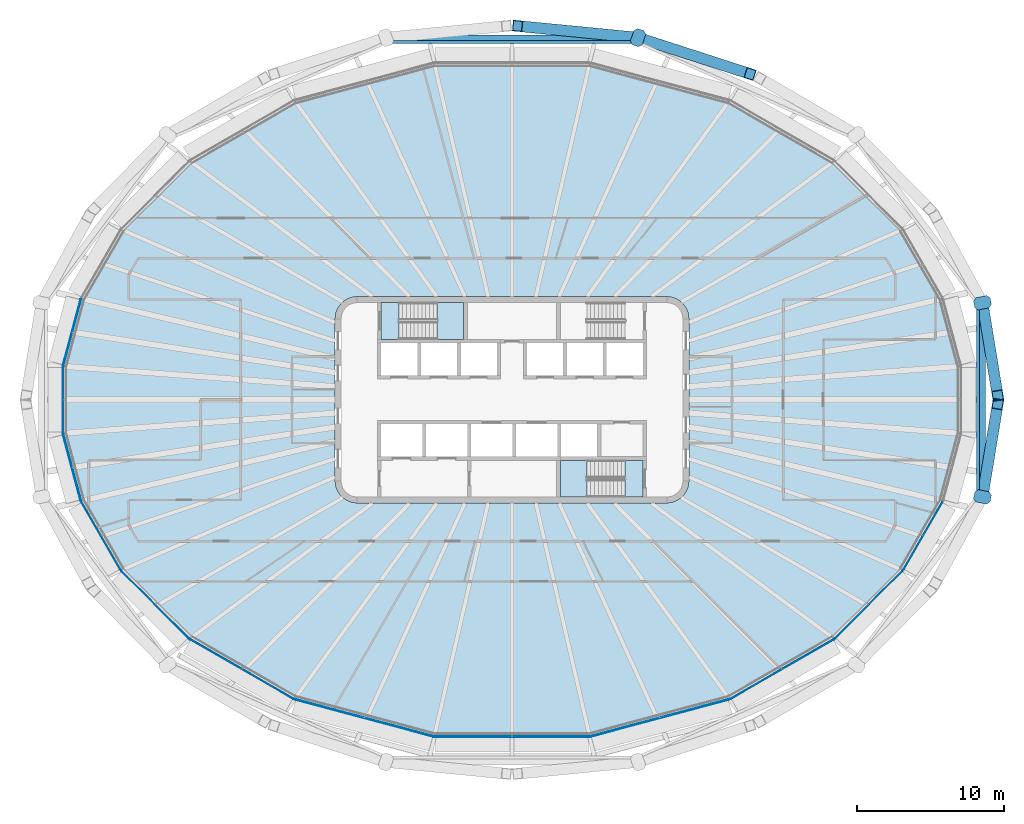
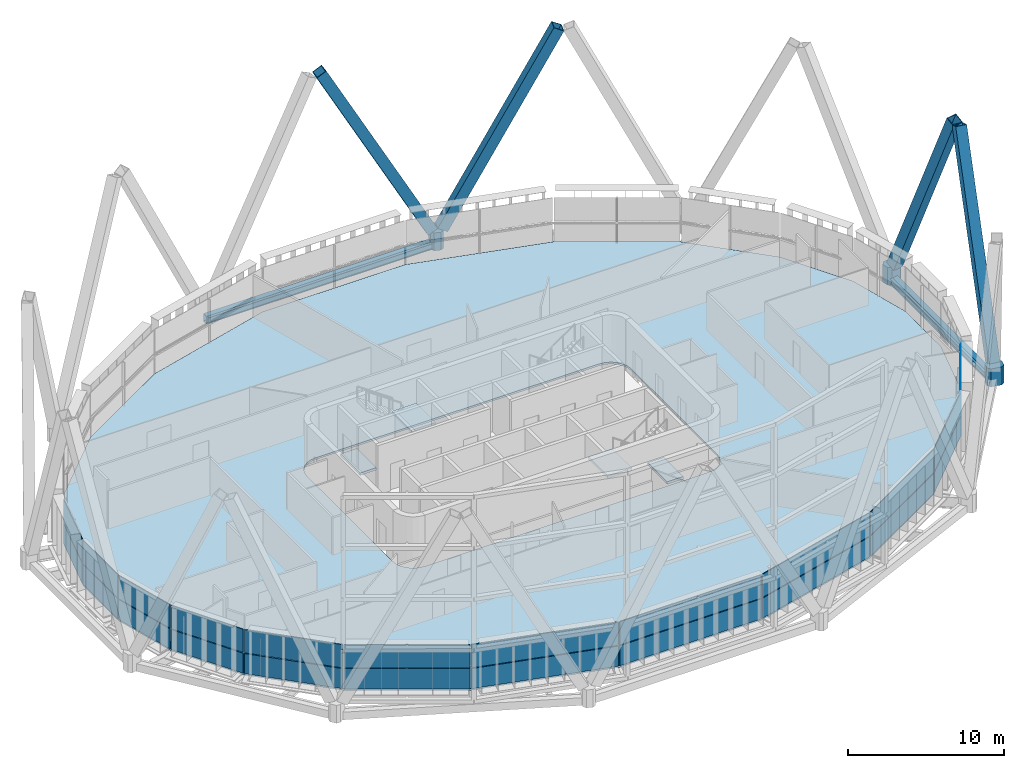
# One storey, part 11 of 22: 24 plates, 7 members, 5 slabs, 4 beams, 14 elements without a shape of their own.
"""IFC4 building model written with IfcOpenShell, lengths in metres."""

from ifc_helpers import new_model, si_unit, direction, frame, origin, origin_2d, place, context, subcontext, project, spatial, polyline, hollow_rectangle, i_section, outline, extrude, material, layer, layer_set, material_profile, profile_set, type_object, element, aggregate, save


model = new_model("IFC4")

# Units and contexts
model_context = context("Model", 3, precision=1e-05, world=origin(), true_north=direction((0.0, 1.0)))
body_context = subcontext(model_context, "Body", "Model", "MODEL_VIEW")
ifc_project = project(units=[si_unit("LENGTHUNIT", "METRE"), si_unit("AREAUNIT", "SQUARE_METRE"), si_unit("VOLUMEUNIT", "CUBIC_METRE"), si_unit("PLANEANGLEUNIT", "RADIAN"), si_unit("MASSUNIT", "GRAM", prefix="KILO")], contexts=[model_context])

# Site, building, storey
site_placement = place(None, origin())
site = spatial("IfcSite", under=ifc_project, at=site_placement, CompositionType="ELEMENT")
building_placement = place(site_placement, origin())
building = spatial("IfcBuilding", under=site, at=building_placement, Name="Sahrelin Media Tower", CompositionType="ELEMENT")
storey_placement = place(building_placement, frame((0.0, 0.0, 233.60009765625)))
storey = spatial("IfcBuildingStorey", under=building, at=storey_placement, Name="L50", CompositionType="ELEMENT", Elevation=233.60009765625)

# Members
ifc_material_1 = material(Name="Steel S460", Category="steel")
ifc_material_profile_1 = material_profile(ifc_material_1, hollow_rectangle(XDim=0.75, YDim=0.75, WallThickness=0.0400390625, at=origin_2d()), Name="Diagrid diagonal DG6")
ifc_profile_set_1 = profile_set([ifc_material_profile_1], Name="Steel S460")
member_type_1 = type_object("IfcMemberType", Name="Diagrid diagonal DG6", PredefinedType="BRACE", material=ifc_profile_set_1)
member_1_placement = place(storey_placement, frame((31.965576171875, 6.294921875, 0.699951171875), z_axis=(0.062400726906, -0.379744616568, 0.922984385279), x_axis=(0.986766401733, 0.162148291424, 0.0)))
element("IfcMember", 1, at=member_1_placement, inside=storey, type_object=member_type_1, Name="Diagrid diagonal D11-00", PredefinedType="BRACE", context=body_context, shape_type="SweptSolid", body=[
    extrude(hollow_rectangle(XDim=0.75, YDim=0.75, WallThickness=0.0400390625, at=origin_2d()), origin(), (0.0, 0.0, 1.0), 15.818115234375),
])
member_2_placement = place(storey_placement, frame((8.900146484375, 24.454833984375, 0.699951171875), z_axis=(0.440336452055, -0.142395958877, 0.886468950323), x_axis=(0.307691505717, 0.951486172947, 0.0)))
element("IfcMember", 2, at=member_2_placement, inside=storey, type_object=member_type_1, Name="Diagrid diagonal D11-04", PredefinedType="BRACE", context=body_context, shape_type="SweptSolid", body=[
    extrude(hollow_rectangle(XDim=0.75, YDim=0.75, WallThickness=0.0400390625, at=origin_2d()), origin(), (0.0, 0.0, 1.0), 16.4697265625),
])
member_3_placement = place(storey_placement, frame((8.17822265625, 24.603759765625, 0.699951171875), z_axis=(-0.4709090869, 0.045846052821, 0.880989654488), x_axis=(-0.096898351579, -0.995294282844, 0.0)))
element("IfcMember", 3, at=member_3_placement, inside=storey, type_object=member_type_1, Name="Diagrid diagonal D11-05", PredefinedType="BRACE", context=body_context, shape_type="SweptSolid", body=[
    extrude(hollow_rectangle(XDim=0.75, YDim=0.75, WallThickness=0.0400390625, at=origin_2d()), origin(), (0.0, 0.0, 1.0), 16.572021484375),
])
member_4_placement = place(storey_placement, frame((31.965576171875, -6.294921875, 0.699951171875), z_axis=(0.062400726906, 0.379744616568, 0.922984385279), x_axis=(-0.986766401733, 0.162148291424, 0.0)))
element("IfcMember", 4, at=member_4_placement, inside=storey, type_object=member_type_1, Name="Diagrid diagonal D11-23", PredefinedType="BRACE", context=body_context, shape_type="SweptSolid", body=[
    extrude(hollow_rectangle(XDim=0.75, YDim=0.75, WallThickness=0.0400390625, at=origin_2d()), origin(), (0.0, 0.0, 1.0), 15.818115234375),
])
ifc_material_profile_2 = material_profile(ifc_material_1, outline(polyline([(0.375, -0.425048828125), (0.574951171875, -0.22509765625), (0.574951171875, 0.22509765625), (0.375, 0.425048828125), (-0.375, 0.425048828125), (-0.574951171875, 0.22509765625), (-0.574951171875, -0.22509765625), (-0.375, -0.425048828125), (0.375, -0.425048828125)])), Name="Diagrid node block 1150")
ifc_profile_set_2 = profile_set([ifc_material_profile_2], Name="Steel S460")
member_type_2 = type_object("IfcMemberType", Name="Diagrid node block 1150", PredefinedType="USERDEFINED", material=ifc_profile_set_2)
for number, where, z_axis, x_axis, name in (
    (5, (31.918212890625, 6.582763671875, -0.7001953125), (0.0, 0.0, 1.0), (0.979387770926, 0.201989094163, 0.0), "Diagrid node N11-00"),
    (6, (8.552490234375, 24.5673828125, -0.7001953125), (0.0, 0.0, 1.0), (0.328769398381, 0.944410230085, 0.0), "Diagrid node N11-02"),
    (7, (31.918212890625, -6.582763671875, -0.7001953125), (0.0, 0.0, 1.0), (0.979387770926, -0.201989094163, 0.0), "Diagrid node N11-11"),
):
    element("IfcMember", number, at=place(storey_placement, frame(where, z_axis=z_axis, x_axis=x_axis)), inside=storey, type_object=member_type_2, Name=name, ObjectType="NODE", PredefinedType="USERDEFINED", context=body_context, shape_type="SweptSolid", body=[
        extrude(outline(polyline([(0.375, -0.425048828125), (0.574951171875, -0.22509765625), (0.574951171875, 0.22509765625), (0.375, 0.425048828125), (-0.375, 0.425048828125), (-0.574951171875, 0.22509765625), (-0.574951171875, -0.22509765625), (-0.375, -0.425048828125), (0.375, -0.425048828125)])), origin(), (0.0, 0.0, 1.0), 1.400146484375),
    ])

# Beams
ifc_material_profile_3 = material_profile(ifc_material_1, hollow_rectangle(XDim=0.39990234375, YDim=0.60009765625, WallThickness=0.030029296875, at=origin_2d()), Name="Diagrid ring beam RB1")
ifc_profile_set_3 = profile_set([ifc_material_profile_3], Name="Steel S460")
beam_type_1 = type_object("IfcBeamType", Name="Diagrid ring beam RB1", PredefinedType="BEAM", material=ifc_profile_set_3)
beam_1_placement = place(storey_placement, frame((8.552490234375, 24.5673828125, -0.4501953125), z_axis=(-1.0, 0.0, 0.0), x_axis=(0.0, -1.0, 0.0)))
element("IfcBeam", 8, at=beam_1_placement, inside=storey, type_object=beam_type_1, Name="Diagrid ring beam RB11-02", PredefinedType="BEAM", context=body_context, shape_type="SweptSolid", body=[
    extrude(hollow_rectangle(XDim=0.39990234375, YDim=0.60009765625, WallThickness=0.030029296875, at=origin_2d()), origin(), (0.0, 0.0, 1.0), 17.10498046875),
])
beam_2_placement = place(storey_placement, frame((31.918212890625, -6.582763671875, -0.4501953125), z_axis=(0.0, 1.0, 0.0), x_axis=(-1.0, 0.0, 0.0)))
element("IfcBeam", 9, at=beam_2_placement, inside=storey, type_object=beam_type_1, Name="Diagrid ring beam RB11-11", PredefinedType="BEAM", context=body_context, shape_type="SweptSolid", body=[
    extrude(hollow_rectangle(XDim=0.39990234375, YDim=0.60009765625, WallThickness=0.030029296875, at=origin_2d()), origin(), (0.0, 0.0, 1.0), 13.16552734375),
])
ifc_material_2 = material(Name="Steel S355", Category="steel")
ifc_material_profile_4 = material_profile(ifc_material_2, i_section(OverallWidth=0.1904296875, OverallDepth=0.45703125, WebThickness=0.009033203125, FlangeThickness=0.014404296875, FilletRadius=0.01025390625, at=origin_2d()), Name="UB 457x191x74")
ifc_profile_set_4 = profile_set([ifc_material_profile_4], Name="Steel S355")
beam_type_2 = type_object("IfcBeamType", Name="Tie chord TC5", PredefinedType="BEAM", material=ifc_profile_set_4)
beam_3_placement = place(storey_placement, frame((31.617919921875, 6.482666015625, -0.378662109375), z_axis=(0.0, -1.0, 0.0), x_axis=(1.0, 0.0, 0.0)))
element("IfcBeam", 10, at=beam_3_placement, inside=storey, type_object=beam_type_2, Name="Tie chord L50-01", PredefinedType="BEAM", context=body_context, shape_type="SweptSolid", body=[
    extrude(i_section(OverallWidth=0.1904296875, OverallDepth=0.45703125, WebThickness=0.009033203125, FlangeThickness=0.014404296875, FilletRadius=0.01025390625, at=origin_2d()), origin(), (0.0, 0.0, 1.0), 12.96533203125),
])
beam_4_placement = place(storey_placement, frame((-8.48876953125, 24.26708984375, -0.378662109375), z_axis=(1.0, 0.0, 0.0), x_axis=(0.0, 1.0, 0.0)))
element("IfcBeam", 11, at=beam_4_placement, inside=storey, type_object=beam_type_2, Name="Tie chord L50-10", PredefinedType="BEAM", context=body_context, shape_type="SweptSolid", body=[
    extrude(i_section(OverallWidth=0.1904296875, OverallDepth=0.45703125, WebThickness=0.009033203125, FlangeThickness=0.014404296875, FilletRadius=0.01025390625, at=origin_2d()), origin(), (0.0, 0.0, 1.0), 16.9775390625),
])

# Slab
ifc_material_3 = material(Name="Concrete C40/50", Category="concrete")
ifc_layer_1 = layer(ifc_material_3, 0.14990234375)
ifc_layer_set_1 = layer_set([ifc_layer_1], Name="Composite floor slab 150")
slab_type_1 = type_object("IfcSlabType", Name="Composite floor slab 150", PredefinedType="FLOOR", material=ifc_layer_set_1)
slab_1_placement = place(storey_placement, frame((0.0, 0.0, -0.150146484375)))
element("IfcSlab", 12, at=slab_1_placement, inside=storey, type_object=slab_type_1, Name="Floor slab L50", PredefinedType="FLOOR", context=body_context, shape_type="SweptSolid", body=[
    extrude(outline(polyline([(30.454833984375, -2.273681640625), (30.454833984375, 2.273681640625), (29.223876953125, 6.8681640625), (26.517578125, 11.5556640625), (21.86669921875, 16.20654296875), (14.76611328125, 20.30615234375), (5.27490234375, 22.84912109375), (-5.27490234375, 22.84912109375), (-14.76611328125, 20.30615234375), (-21.86669921875, 16.20654296875), (-26.517578125, 11.5556640625), (-29.223876953125, 6.8681640625), (-30.454833984375, 2.273681640625), (-30.454833984375, -2.273681640625), (-29.223876953125, -6.8681640625), (-26.517578125, -11.5556640625), (-21.86669921875, -16.20654296875), (-14.76611328125, -20.30615234375), (-5.27490234375, -22.84912109375), (5.27490234375, -22.84912109375), (14.76611328125, -20.30615234375), (21.86669921875, -16.20654296875), (26.517578125, -11.5556640625), (29.223876953125, -6.8681640625), (30.454833984375, -2.273681640625)]), holes=[polyline([(11.948974609375, 5.88818359375), (12.0, 5.5), (12.0, -5.5), (11.948974609375, -5.88818359375), (11.799072265625, -6.25), (11.560791015625, -6.560791015625), (11.25, -6.799072265625), (10.88818359375, -6.948974609375), (10.5, -7.0), (-10.5, -7.0), (-10.88818359375, -6.948974609375), (-11.25, -6.799072265625), (-11.560791015625, -6.560791015625), (-11.799072265625, -6.25), (-11.948974609375, -5.88818359375), (-12.0, -5.5), (-12.0, 5.5), (-11.948974609375, 5.88818359375), (-11.799072265625, 6.25), (-11.560791015625, 6.560791015625), (-11.25, 6.799072265625), (-10.88818359375, 6.948974609375), (-10.5, 7.0), (10.5, 7.0), (10.88818359375, 6.948974609375), (11.25, 6.799072265625), (11.560791015625, 6.560791015625), (11.799072265625, 6.25), (11.948974609375, 5.88818359375)])]), origin(), (0.0, 0.0, 1.0), 0.150146484375),
])

# Curtain wall, plate
ifc_material_4 = material(Name="Champagne anodised aluminium 6063-T6", Category="aluminium")
ifc_layer_2 = layer(ifc_material_4, 0.14990234375)
ifc_layer_set_2 = layer_set([ifc_layer_2], Name="Tower ribbon curtain wall")
curtain_wall_type = type_object("IfcCurtainWallType", Name="Tower ribbon curtain wall", PredefinedType="NOTDEFINED", material=ifc_layer_set_2)
curtain_wall_1_placement = place(storey_placement, frame((-29.858642578125, 4.576171875, 0.0), z_axis=(0.0, 0.0, 1.0), x_axis=(1.0, 0.0, 0.0)))
curtain_wall_1 = element("IfcCurtainWall", 13, at=curtain_wall_1_placement, inside=storey, type_object=curtain_wall_type, Name="L50:CW:L50-11", PredefinedType="NOTDEFINED")
ifc_material_5 = material(Name="Clear low-iron glazing", Category="glass")
ifc_layer_3 = layer(ifc_material_5, 0.0439453125)
ifc_layer_set_3 = layer_set([ifc_layer_3], Name="Glazing panel 44 mm CW1B")
plate_type_1 = type_object("IfcPlateType", Name="Glazing panel 44 mm CW1B", PredefinedType="CURTAIN_PANEL", material=ifc_layer_set_3)
plate_1_placement = place(storey_placement, frame((-29.27490234375, 6.832763671875, 1.6298828125), z_axis=(-0.965939636651, 0.258767498628, 0.0), x_axis=(-0.258767498628, -0.965939636651, 0.0)))
plate_1 = element("IfcPlate", 14, at=plate_1_placement, type_object=plate_type_1, Name="L50:CWP2:L50-11", PredefinedType="CURTAIN_PANEL", context=body_context, shape_type="SweptSolid", body=[
    extrude(outline(polyline([(0.0, 0.0), (4.66162109375, 0.0), (4.66162109375, 1.818603515625), (0.0, 1.818603515625), (0.0, 0.0)])), origin(), (0.0, 0.0, -1.0), 0.0439453125),
])

curtain_wall_2_placement = place(storey_placement, frame((-30.474853515625, 0.0, 0.0), z_axis=(0.0, 0.0, 1.0), x_axis=(1.0, 0.0, 0.0)))
curtain_wall_2 = element("IfcCurtainWall", 15, at=curtain_wall_2_placement, inside=storey, type_object=curtain_wall_type, Name="L50:CW:L50-12", PredefinedType="NOTDEFINED")
plate_2_placement = place(storey_placement, frame((-30.494873046875, 2.226318359375, 1.6298828125), z_axis=(-1.0, 0.0, 0.0), x_axis=(0.0, -1.0, 0.0)))
plate_2 = element("IfcPlate", 16, at=plate_2_placement, type_object=plate_type_1, Name="L50:CWP2:L50-12", PredefinedType="CURTAIN_PANEL", context=body_context, shape_type="SweptSolid", body=[
    extrude(outline(polyline([(0.0, 0.0), (4.45263671875, 0.0), (4.45263671875, 1.818603515625), (0.0, 1.818603515625), (0.0, 0.0)])), origin(), (0.0, 0.0, -1.0), 0.0439453125),
])

curtain_wall_3_placement = place(storey_placement, frame((-29.858642578125, -4.576171875, 0.0), z_axis=(0.0, 0.0, 1.0), x_axis=(1.0, 0.0, 0.0)))
curtain_wall_3 = element("IfcCurtainWall", 17, at=curtain_wall_3_placement, inside=storey, type_object=curtain_wall_type, Name="L50:CW:L50-13", PredefinedType="NOTDEFINED")
plate_3_placement = place(storey_placement, frame((-30.481201171875, -2.329833984375, 1.6298828125), z_axis=(-0.965939636651, -0.258767498628, 0.0), x_axis=(0.258767498628, -0.965939636651, 0.0)))
plate_3 = element("IfcPlate", 18, at=plate_3_placement, type_object=plate_type_1, Name="L50:CWP2:L50-13", PredefinedType="CURTAIN_PANEL", context=body_context, shape_type="SweptSolid", body=[
    extrude(outline(polyline([(0.0, 0.0), (4.66162109375, 0.0), (4.66162109375, 1.818603515625), (0.0, 1.818603515625), (0.0, 0.0)])), origin(), (0.0, 0.0, -1.0), 0.0439453125),
])

curtain_wall_4_placement = place(storey_placement, frame((-27.887939453125, -9.2216796875, 0.0), z_axis=(0.0, 0.0, 1.0), x_axis=(1.0, 0.0, 0.0)))
curtain_wall_4 = element("IfcCurtainWall", 19, at=curtain_wall_4_placement, inside=storey, type_object=curtain_wall_type, Name="L50:CW:L50-14", PredefinedType="NOTDEFINED")
plate_4_placement = place(storey_placement, frame((-29.23486328125, -6.92919921875, 1.6298828125), z_axis=(-0.866008217664, -0.500029766052, 0.0), x_axis=(0.500029766052, -0.866008217664, 0.0)))
plate_4 = element("IfcPlate", 20, at=plate_4_placement, type_object=plate_type_1, Name="L50:CWP2:L50-14", PredefinedType="CURTAIN_PANEL", context=body_context, shape_type="SweptSolid", body=[
    extrude(outline(polyline([(0.0, 0.0), (5.318115234375, 0.0), (5.318115234375, 1.818603515625), (0.0, 1.818603515625), (0.0, 0.0)])), origin(), (0.0, 0.0, -1.0), 0.0439453125),
])

curtain_wall_5_placement = place(storey_placement, frame((-24.206298828125, -13.895263671875, 0.0), z_axis=(0.0, 0.0, 1.0), x_axis=(1.0, 0.0, 0.0)))
curtain_wall_5 = element("IfcCurtainWall", 21, at=curtain_wall_5_placement, inside=storey, type_object=curtain_wall_type, Name="L50:CW:L50-15", PredefinedType="NOTDEFINED")
plate_5_placement = place(storey_placement, frame((-26.51220703125, -11.617431640625, 1.6298828125), z_axis=(-0.707125611507, -0.707087950365, 0.0), x_axis=(0.707087950365, -0.707125611507, 0.0)))
plate_5 = element("IfcPlate", 22, at=plate_5_placement, type_object=plate_type_1, Name="L50:CWP2:L50-15", PredefinedType="CURTAIN_PANEL", context=body_context, shape_type="SweptSolid", body=[
    extrude(outline(polyline([(0.0, 0.0), (6.482666015625, 0.0), (6.482666015625, 1.818603515625), (0.0, 1.818603515625), (0.0, 0.0)])), origin(), (0.0, 0.0, -1.0), 0.0439453125),
])

curtain_wall_6_placement = place(storey_placement, frame((-18.326416015625, -18.273681640625, 0.0), z_axis=(0.0, 0.0, 1.0), x_axis=(1.0, 0.0, 0.0)))
curtain_wall_6 = element("IfcCurtainWall", 23, at=curtain_wall_6_placement, inside=storey, type_object=curtain_wall_type, Name="L50:CW:L50-16", PredefinedType="NOTDEFINED")
plate_6_placement = place(storey_placement, frame((-21.845703125, -16.264892578125, 1.6298828125), z_axis=(-0.4999849629, -0.866034085284, 0.0), x_axis=(0.866034085284, -0.4999849629, 0.0)))
plate_6 = element("IfcPlate", 24, at=plate_6_placement, type_object=plate_type_1, Name="L50:CWP2:L50-16", PredefinedType="CURTAIN_PANEL", context=body_context, shape_type="SweptSolid", body=[
    extrude(outline(polyline([(0.0, 0.0), (8.104248046875, 0.0), (8.104248046875, 1.818603515625), (0.0, 1.818603515625), (0.0, 0.0)])), origin(), (0.0, 0.0, -1.0), 0.0439453125),
])

curtain_wall_7_placement = place(storey_placement, frame((-10.025634765625, -21.596923828125, 0.0), z_axis=(0.0, 0.0, 1.0), x_axis=(1.0, 0.0, 0.0)))
curtain_wall_7 = element("IfcCurtainWall", 25, at=curtain_wall_7_placement, inside=storey, type_object=curtain_wall_type, Name="L50:CW:L50-17", PredefinedType="NOTDEFINED")
plate_7_placement = place(storey_placement, frame((-14.730712890625, -20.35693359375, 1.6298828125), z_axis=(-0.258811745197, -0.965927782263, 0.0), x_axis=(0.965927782263, -0.258811745197, 0.0)))
plate_7 = element("IfcPlate", 26, at=plate_7_placement, type_object=plate_type_1, Name="L50:CWP2:L50-17", PredefinedType="CURTAIN_PANEL", context=body_context, shape_type="SweptSolid", body=[
    extrude(outline(polyline([(0.0, 0.0), (9.731201171875, 0.0), (9.731201171875, 1.818603515625), (0.0, 1.818603515625), (0.0, 0.0)])), origin(), (0.0, 0.0, -1.0), 0.0439453125),
])

curtain_wall_8_placement = place(storey_placement, frame((0.0, -22.869140625, 0.0), z_axis=(0.0, 0.0, 1.0), x_axis=(1.0, 0.0, 0.0)))
curtain_wall_8 = element("IfcCurtainWall", 27, at=curtain_wall_8_placement, inside=storey, type_object=curtain_wall_type, Name="L50:CW:L50-18", PredefinedType="NOTDEFINED")
plate_8_placement = place(storey_placement, frame((-5.2275390625, -22.88916015625, 1.6298828125), z_axis=(0.0, -1.0, 0.0), x_axis=(1.0, 0.0, 0.0)))
plate_8 = element("IfcPlate", 28, at=plate_8_placement, type_object=plate_type_1, Name="L50:CWP2:L50-18", PredefinedType="CURTAIN_PANEL", context=body_context, shape_type="SweptSolid", body=[
    extrude(outline(polyline([(0.0, 0.0), (10.455078125, 0.0), (10.455078125, 1.818603515625), (0.0, 1.818603515625), (0.0, 0.0)])), origin(), (0.0, 0.0, -1.0), 0.0439453125),
])

curtain_wall_9_placement = place(storey_placement, frame((10.025634765625, -21.596923828125, 0.0), z_axis=(0.0, 0.0, 1.0), x_axis=(1.0, 0.0, 0.0)))
curtain_wall_9 = element("IfcCurtainWall", 29, at=curtain_wall_9_placement, inside=storey, type_object=curtain_wall_type, Name="L50:CW:L50-19", PredefinedType="NOTDEFINED")
plate_9_placement = place(storey_placement, frame((5.3310546875, -22.87548828125, 1.6298828125), z_axis=(0.258811745197, -0.965927782263, 0.0), x_axis=(0.965927782263, 0.258811745197, 0.0)))
plate_9 = element("IfcPlate", 30, at=plate_9_placement, type_object=plate_type_1, Name="L50:CWP2:L50-19", PredefinedType="CURTAIN_PANEL", context=body_context, shape_type="SweptSolid", body=[
    extrude(outline(polyline([(0.0, 0.0), (9.731201171875, 0.0), (9.731201171875, 1.818603515625), (0.0, 1.818603515625), (0.0, 0.0)])), origin(), (0.0, 0.0, -1.0), 0.0439453125),
])

curtain_wall_10_placement = place(storey_placement, frame((18.326416015625, -18.273681640625, 0.0), z_axis=(0.0, 0.0, 1.0), x_axis=(1.0, 0.0, 0.0)))
curtain_wall_10 = element("IfcCurtainWall", 31, at=curtain_wall_10_placement, inside=storey, type_object=curtain_wall_type, Name="L50:CW:L50-20", PredefinedType="NOTDEFINED")
plate_10_placement = place(storey_placement, frame((14.8271484375, -20.31689453125, 1.6298828125), z_axis=(0.4999849629, -0.866034085284, 0.0), x_axis=(0.866034085284, 0.4999849629, 0.0)))
plate_10 = element("IfcPlate", 32, at=plate_10_placement, type_object=plate_type_1, Name="L50:CWP2:L50-20", PredefinedType="CURTAIN_PANEL", context=body_context, shape_type="SweptSolid", body=[
    extrude(outline(polyline([(0.0, 0.0), (8.104248046875, 0.0), (8.104248046875, 1.818603515625), (0.0, 1.818603515625), (0.0, 0.0)])), origin(), (0.0, 0.0, -1.0), 0.0439453125),
])

curtain_wall_11_placement = place(storey_placement, frame((24.206298828125, -13.895263671875, 0.0), z_axis=(0.0, 0.0, 1.0), x_axis=(1.0, 0.0, 0.0)))
curtain_wall_11 = element("IfcCurtainWall", 33, at=curtain_wall_11_placement, inside=storey, type_object=curtain_wall_type, Name="L50:CW:L50-21", PredefinedType="NOTDEFINED")
plate_11_placement = place(storey_placement, frame((21.928466796875, -16.201416015625, 1.6298828125), z_axis=(0.707125611507, -0.707087950365, 0.0), x_axis=(0.707087950365, 0.707125611507, 0.0)))
plate_11 = element("IfcPlate", 34, at=plate_11_placement, type_object=plate_type_1, Name="L50:CWP2:L50-21", PredefinedType="CURTAIN_PANEL", context=body_context, shape_type="SweptSolid", body=[
    extrude(outline(polyline([(0.0, 0.0), (6.482666015625, 0.0), (6.482666015625, 1.818603515625), (0.0, 1.818603515625), (0.0, 0.0)])), origin(), (0.0, 0.0, -1.0), 0.0439453125),
])

curtain_wall_12_placement = place(storey_placement, frame((27.887939453125, -9.221923828125, 0.0), z_axis=(0.0, 0.0, 1.0), x_axis=(1.0, 0.0, 0.0)))
curtain_wall_12 = element("IfcCurtainWall", 35, at=curtain_wall_12_placement, inside=storey, type_object=curtain_wall_type, Name="L50:CW:L50-22", PredefinedType="NOTDEFINED")
plate_12_placement = place(storey_placement, frame((26.57568359375, -11.53466796875, 1.6298828125), z_axis=(0.866008217664, -0.500029766052, 0.0), x_axis=(0.500029766052, 0.866008217664, 0.0)))
plate_12 = element("IfcPlate", 36, at=plate_12_placement, type_object=plate_type_1, Name="L50:CWP2:L50-22", PredefinedType="CURTAIN_PANEL", context=body_context, shape_type="SweptSolid", body=[
    extrude(outline(polyline([(0.0, 0.0), (5.318115234375, 0.0), (5.318115234375, 1.818603515625), (0.0, 1.818603515625), (0.0, 0.0)])), origin(), (0.0, 0.0, -1.0), 0.0439453125),
])

# Plate
ifc_material_6 = material(Name="Insulated spandrel panel")
ifc_layer_4 = layer(ifc_material_6, 0.06005859375)
ifc_layer_set_4 = layer_set([ifc_layer_4], Name="Spandrel panel 60 mm CW1")
plate_type_2 = type_object("IfcPlateType", Name="Spandrel panel 60 mm CW1", PredefinedType="SHEET", material=ifc_layer_set_4)
plate_13_placement = place(storey_placement, frame((-29.27490234375, 6.832763671875, 0.0), z_axis=(-0.965939636651, 0.258767498628, 0.0), x_axis=(-0.258767498628, -0.965939636651, 0.0)))
plate_13 = element("IfcPlate", 37, at=plate_13_placement, type_object=plate_type_2, Name="L50:CWP1:L50-11", PredefinedType="SHEET", context=body_context, shape_type="SweptSolid", body=[
    extrude(outline(polyline([(0.0, 0.0), (4.66162109375, 0.0), (4.66162109375, 1.56982421875), (0.0, 1.56982421875), (0.0, 0.0)])), origin(), (0.0, 0.0, -1.0), 0.06005859375),
])

aggregate(curtain_wall_1, [plate_13, plate_1])

plate_14_placement = place(storey_placement, frame((-30.494873046875, 2.226318359375, 0.0), z_axis=(-1.0, 0.0, 0.0), x_axis=(0.0, -1.0, 0.0)))
plate_14 = element("IfcPlate", 38, at=plate_14_placement, type_object=plate_type_2, Name="L50:CWP1:L50-12", PredefinedType="SHEET", context=body_context, shape_type="SweptSolid", body=[
    extrude(outline(polyline([(0.0, 0.0), (4.45263671875, 0.0), (4.45263671875, 1.56982421875), (0.0, 1.56982421875), (0.0, 0.0)])), origin(), (0.0, 0.0, -1.0), 0.06005859375),
])

aggregate(curtain_wall_2, [plate_14, plate_2])

plate_15_placement = place(storey_placement, frame((-30.481201171875, -2.329833984375, 0.0), z_axis=(-0.965939636651, -0.258767498628, 0.0), x_axis=(0.258767498628, -0.965939636651, 0.0)))
plate_15 = element("IfcPlate", 39, at=plate_15_placement, type_object=plate_type_2, Name="L50:CWP1:L50-13", PredefinedType="SHEET", context=body_context, shape_type="SweptSolid", body=[
    extrude(outline(polyline([(0.0, 0.0), (4.66162109375, 0.0), (4.66162109375, 1.56982421875), (0.0, 1.56982421875), (0.0, 0.0)])), origin(), (0.0, 0.0, -1.0), 0.06005859375),
])

aggregate(curtain_wall_3, [plate_15, plate_3])

plate_16_placement = place(storey_placement, frame((-29.23486328125, -6.92919921875, 0.0), z_axis=(-0.866008217664, -0.500029766052, 0.0), x_axis=(0.500029766052, -0.866008217664, 0.0)))
plate_16 = element("IfcPlate", 40, at=plate_16_placement, type_object=plate_type_2, Name="L50:CWP1:L50-14", PredefinedType="SHEET", context=body_context, shape_type="SweptSolid", body=[
    extrude(outline(polyline([(0.0, 0.0), (5.318115234375, 0.0), (5.318115234375, 1.56982421875), (0.0, 1.56982421875), (0.0, 0.0)])), origin(), (0.0, 0.0, -1.0), 0.06005859375),
])

aggregate(curtain_wall_4, [plate_16, plate_4])

plate_17_placement = place(storey_placement, frame((-26.51220703125, -11.617431640625, 0.0), z_axis=(-0.707125611507, -0.707087950365, 0.0), x_axis=(0.707087950365, -0.707125611507, 0.0)))
plate_17 = element("IfcPlate", 41, at=plate_17_placement, type_object=plate_type_2, Name="L50:CWP1:L50-15", PredefinedType="SHEET", context=body_context, shape_type="SweptSolid", body=[
    extrude(outline(polyline([(0.0, 0.0), (6.482666015625, 0.0), (6.482666015625, 1.56982421875), (0.0, 1.56982421875), (0.0, 0.0)])), origin(), (0.0, 0.0, -1.0), 0.06005859375),
])

aggregate(curtain_wall_5, [plate_17, plate_5])

plate_18_placement = place(storey_placement, frame((-21.845703125, -16.264892578125, 0.0), z_axis=(-0.4999849629, -0.866034085284, 0.0), x_axis=(0.866034085284, -0.4999849629, 0.0)))
plate_18 = element("IfcPlate", 42, at=plate_18_placement, type_object=plate_type_2, Name="L50:CWP1:L50-16", PredefinedType="SHEET", context=body_context, shape_type="SweptSolid", body=[
    extrude(outline(polyline([(0.0, 0.0), (8.104248046875, 0.0), (8.104248046875, 1.56982421875), (0.0, 1.56982421875), (0.0, 0.0)])), origin(), (0.0, 0.0, -1.0), 0.06005859375),
])

aggregate(curtain_wall_6, [plate_18, plate_6])

plate_19_placement = place(storey_placement, frame((-14.730712890625, -20.35693359375, 0.0), z_axis=(-0.258811745197, -0.965927782263, 0.0), x_axis=(0.965927782263, -0.258811745197, 0.0)))
plate_19 = element("IfcPlate", 43, at=plate_19_placement, type_object=plate_type_2, Name="L50:CWP1:L50-17", PredefinedType="SHEET", context=body_context, shape_type="SweptSolid", body=[
    extrude(outline(polyline([(0.0, 0.0), (9.731201171875, 0.0), (9.731201171875, 1.56982421875), (0.0, 1.56982421875), (0.0, 0.0)])), origin(), (0.0, 0.0, -1.0), 0.06005859375),
])

aggregate(curtain_wall_7, [plate_19, plate_7])

plate_20_placement = place(storey_placement, frame((-5.2275390625, -22.88916015625, 0.0), z_axis=(0.0, -1.0, 0.0), x_axis=(1.0, 0.0, 0.0)))
plate_20 = element("IfcPlate", 44, at=plate_20_placement, type_object=plate_type_2, Name="L50:CWP1:L50-18", PredefinedType="SHEET", context=body_context, shape_type="SweptSolid", body=[
    extrude(outline(polyline([(0.0, 0.0), (10.455078125, 0.0), (10.455078125, 1.56982421875), (0.0, 1.56982421875), (0.0, 0.0)])), origin(), (0.0, 0.0, -1.0), 0.06005859375),
])

aggregate(curtain_wall_8, [plate_20, plate_8])

plate_21_placement = place(storey_placement, frame((5.3310546875, -22.87548828125, 0.0), z_axis=(0.258811745197, -0.965927782263, 0.0), x_axis=(0.965927782263, 0.258811745197, 0.0)))
plate_21 = element("IfcPlate", 45, at=plate_21_placement, type_object=plate_type_2, Name="L50:CWP1:L50-19", PredefinedType="SHEET", context=body_context, shape_type="SweptSolid", body=[
    extrude(outline(polyline([(0.0, 0.0), (9.731201171875, 0.0), (9.731201171875, 1.56982421875), (0.0, 1.56982421875), (0.0, 0.0)])), origin(), (0.0, 0.0, -1.0), 0.06005859375),
])

aggregate(curtain_wall_9, [plate_21, plate_9])

plate_22_placement = place(storey_placement, frame((14.8271484375, -20.31689453125, 0.0), z_axis=(0.4999849629, -0.866034085284, 0.0), x_axis=(0.866034085284, 0.4999849629, 0.0)))
plate_22 = element("IfcPlate", 46, at=plate_22_placement, type_object=plate_type_2, Name="L50:CWP1:L50-20", PredefinedType="SHEET", context=body_context, shape_type="SweptSolid", body=[
    extrude(outline(polyline([(0.0, 0.0), (8.104248046875, 0.0), (8.104248046875, 1.56982421875), (0.0, 1.56982421875), (0.0, 0.0)])), origin(), (0.0, 0.0, -1.0), 0.06005859375),
])

aggregate(curtain_wall_10, [plate_22, plate_10])

plate_23_placement = place(storey_placement, frame((21.928466796875, -16.201416015625, 0.0), z_axis=(0.707125611507, -0.707087950365, 0.0), x_axis=(0.707087950365, 0.707125611507, 0.0)))
plate_23 = element("IfcPlate", 47, at=plate_23_placement, type_object=plate_type_2, Name="L50:CWP1:L50-21", PredefinedType="SHEET", context=body_context, shape_type="SweptSolid", body=[
    extrude(outline(polyline([(0.0, 0.0), (6.482666015625, 0.0), (6.482666015625, 1.56982421875), (0.0, 1.56982421875), (0.0, 0.0)])), origin(), (0.0, 0.0, -1.0), 0.06005859375),
])

aggregate(curtain_wall_11, [plate_23, plate_11])

plate_24_placement = place(storey_placement, frame((26.57568359375, -11.53466796875, 0.0), z_axis=(0.866008217664, -0.500029766052, 0.0), x_axis=(0.500029766052, 0.866008217664, 0.0)))
plate_24 = element("IfcPlate", 48, at=plate_24_placement, type_object=plate_type_2, Name="L50:CWP1:L50-22", PredefinedType="SHEET", context=body_context, shape_type="SweptSolid", body=[
    extrude(outline(polyline([(0.0, 0.0), (5.318115234375, 0.0), (5.318115234375, 1.56982421875), (0.0, 1.56982421875), (0.0, 0.0)])), origin(), (0.0, 0.0, -1.0), 0.06005859375),
])

aggregate(curtain_wall_12, [plate_24, plate_12])

# Stair, slabs
stair_type = type_object("IfcStairType", Name="Exit stair 1200", PredefinedType="HALF_TURN_STAIR", material=ifc_material_3)
placement_1 = place(storey_placement, origin())
stair_1 = element("IfcStair", 49, at=placement_1, inside=storey, type_object=stair_type, Name="L50 Exit stair ST1", PredefinedType="HALF_TURN_STAIR")
ifc_layer_5 = layer(ifc_material_3, 0.199951171875)
ifc_layer_set_5 = layer_set([ifc_layer_5], Name="Stair landing 200")
slab_type_2 = type_object("IfcSlabType", Name="Stair landing 200", PredefinedType="LANDING", material=ifc_layer_set_5)
placement_2 = place(storey_placement, frame((0.0, 0.0, 1.7998046875)))
slab_2 = element("IfcSlab", 50, at=placement_2, type_object=slab_type_2, Name="ST1 landing 1", PredefinedType="LANDING", context=body_context, shape_type="SweptSolid", body=[
    extrude(outline(polyline([(-5.074951171875, 4.10009765625), (-3.27490234375, 4.10009765625), (-3.27490234375, 6.60009765625), (-5.074951171875, 6.60009765625), (-5.074951171875, 4.10009765625)])), origin(), (0.0, 0.0, 1.0), 0.2001953125),
])
placement_3 = place(storey_placement, frame((0.0, 0.0, -0.2001953125)))
slab_3 = element("IfcSlab", 51, at=placement_3, type_object=slab_type_2, Name="ST1 landing 2", PredefinedType="LANDING", context=body_context, shape_type="SweptSolid", body=[
    extrude(outline(polyline([(-8.875, 4.10009765625), (-7.675048828125, 4.10009765625), (-7.675048828125, 6.60009765625), (-8.875, 6.60009765625), (-8.875, 4.10009765625)])), origin(), (0.0, 0.0, 1.0), 0.2001953125),
])
aggregate(stair_1, [slab_2, slab_3])

stair_2 = element("IfcStair", 52, at=placement_1, inside=storey, type_object=stair_type, Name="L50 Exit stair ST2", PredefinedType="HALF_TURN_STAIR")
slab_4 = element("IfcSlab", 53, at=placement_2, type_object=slab_type_2, Name="ST2 landing 1", PredefinedType="LANDING", context=body_context, shape_type="SweptSolid", body=[
    extrude(outline(polyline([(5.074951171875, -4.10009765625), (3.27490234375, -4.10009765625), (3.27490234375, -6.60009765625), (5.074951171875, -6.60009765625), (5.074951171875, -4.10009765625)])), origin(), (0.0, 0.0, 1.0), 0.2001953125),
])
slab_5 = element("IfcSlab", 54, at=placement_3, type_object=slab_type_2, Name="ST2 landing 2", PredefinedType="LANDING", context=body_context, shape_type="SweptSolid", body=[
    extrude(outline(polyline([(8.875, -4.10009765625), (7.675048828125, -4.10009765625), (7.675048828125, -6.60009765625), (8.875, -6.60009765625), (8.875, -4.10009765625)])), origin(), (0.0, 0.0, 1.0), 0.2001953125),
])
aggregate(stair_2, [slab_4, slab_5])

save(model, "model.ifc")
